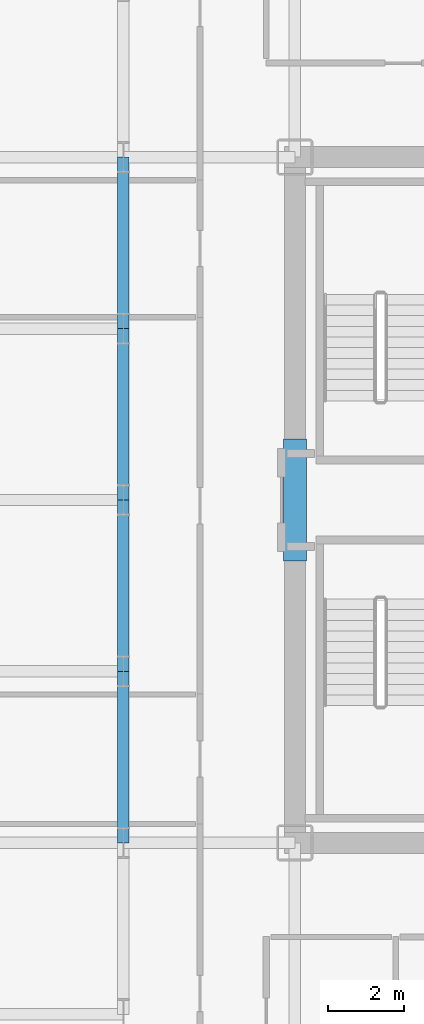
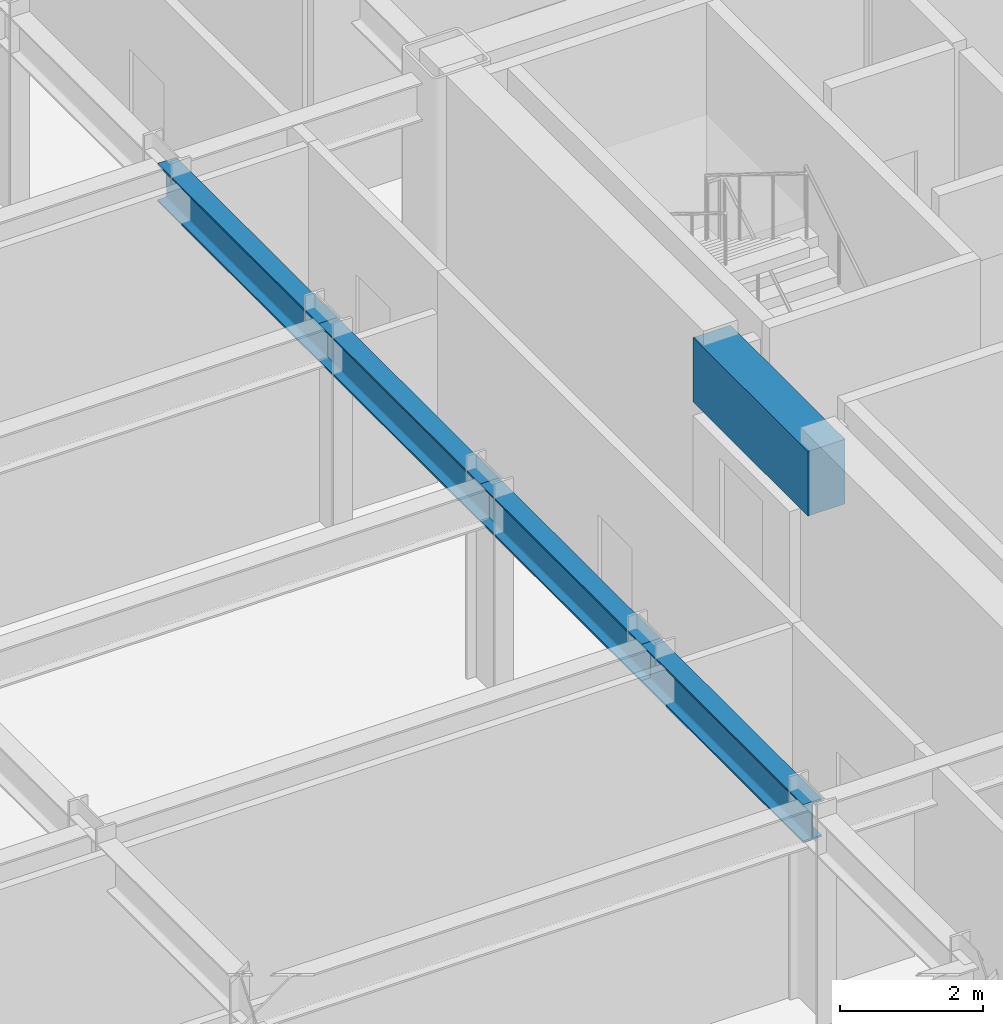
# One storey, part 8 of 26: 5 beams.
"""IFC4 building model written with IfcOpenShell, lengths in metres."""

from ifc_helpers import new_model, si_unit, direction, frame, origin, origin_2d, place, context, subcontext, project, spatial, rectangle, i_section, extrude, source, transform, mapped, material, material_profile, profile_set, type_object, element, save


model = new_model("IFC4")

# Units and contexts
model_context = context("Model", 3, precision=1e-05, world=origin(), true_north=direction((0.0, 1.0)))
body_context = subcontext(model_context, "Body", "Model", "MODEL_VIEW")
ifc_project = project(units=[si_unit("LENGTHUNIT", "METRE"), si_unit("AREAUNIT", "SQUARE_METRE"), si_unit("VOLUMEUNIT", "CUBIC_METRE"), si_unit("PLANEANGLEUNIT", "RADIAN"), si_unit("MASSUNIT", "GRAM", prefix="KILO")], contexts=[model_context])

# Site, building, storey
site_placement = place(None, origin())
site = spatial("IfcSite", under=ifc_project, at=site_placement, CompositionType="ELEMENT")
building_placement = place(site_placement, origin())
building = spatial("IfcBuilding", under=site, at=building_placement, Name="Nefas-Gora Pilgrimage Tower", CompositionType="ELEMENT")
storey_placement = place(building_placement, frame((0.0, 0.0, 160.199951171875)))
storey = spatial("IfcBuildingStorey", under=building, at=storey_placement, Name="L39", CompositionType="ELEMENT", Elevation=160.199951171875)

# Beams
ifc_material_1 = material(Name="Concrete C60/75", Category="concrete")
ifc_material_profile_1 = material_profile(ifc_material_1, rectangle(XDim=0.60009765625, YDim=1.10009765625, at=origin_2d()), Name="RC 600x1100")
ifc_profile_set_1 = profile_set([ifc_material_profile_1], Name="Concrete C60/75")
beam_type_1 = type_object("IfcBeamType", Name="BM-LIN-RC1100", PredefinedType="LINTEL", material=ifc_profile_set_1)
shared_shape_1 = source(origin(), body_context, "Body", "SweptSolid", [
    extrude(rectangle(XDim=0.60009765625, YDim=1.10009765625, at=origin_2d()), origin(), (0.0, 0.0, 1.0), 3.2001953125),
])
beam_placement = place(storey_placement, frame((-11.25, -1.60009765625, 3.0), z_axis=(0.0, 1.0, 0.0), x_axis=(-1.0, 0.0, 0.0)))
element("IfcBeam", 1, at=beam_placement, inside=storey, type_object=beam_type_1, Name="L39 Core Coupling Lintel Beam W", PredefinedType="LINTEL", context=body_context, shape_type="MappedRepresentation", body=[
    mapped(shared_shape_1, transform((0.0, 0.0, 0.0), x_axis=(1.0, 0.0, 0.0), y_axis=(0.0, 1.0, 0.0), z_axis=(0.0, 0.0, 1.0), scale=1.0)),
])
ifc_material_2 = material(Name="Steel S355", Category="steel")
ifc_material_profile_2 = material_profile(ifc_material_2, i_section(OverallWidth=0.300048828125, OverallDepth=0.64990234375, WebThickness=0.01611328125, FlangeThickness=0.031005859375, FilletRadius=0.027099609375, at=origin_2d()), Name="HEB 650")
ifc_profile_set_2 = profile_set([ifc_material_profile_2], Name="Steel S355")
beam_type_2 = type_object("IfcBeamType", Name="BM-GIR-HEB650", PredefinedType="BEAM", material=ifc_profile_set_2)
shared_shape_2 = source(origin(), body_context, "Body", "SweptSolid", [
    extrude(i_section(OverallWidth=0.300048828125, OverallDepth=0.64990234375, WebThickness=0.01611328125, FlangeThickness=0.031005859375, FilletRadius=0.027099609375, at=origin_2d()), origin(), (0.0, 0.0, 1.0), 4.5),
])
for number, where, z_axis, x_axis, name in (
    (2, (-15.75, -9.0, 3.22509765625), (0.0, 1.0, 0.0), (-1.0, 0.0, 0.0), "L39 G-03 beam"),
    (3, (-15.75, -4.5, 3.22509765625), (0.0, 1.0, 0.0), (-1.0, 0.0, 0.0), "L39 G-03 beam"),
    (4, (-15.75, 0.0, 3.22509765625), (0.0, 1.0, 0.0), (-1.0, 0.0, 0.0), "L39 G-03 beam"),
    (5, (-15.75, 4.5, 3.22509765625), (0.0, 1.0, 0.0), (-1.0, 0.0, 0.0), "L39 G-03 beam"),
):
    element("IfcBeam", number, at=place(storey_placement, frame(where, z_axis=z_axis, x_axis=x_axis)), inside=storey, type_object=beam_type_2, Name=name, PredefinedType="BEAM", context=body_context, shape_type="MappedRepresentation", body=[
        mapped(shared_shape_2, transform((0.0, 0.0, 0.0), x_axis=(1.0, 0.0, 0.0), y_axis=(0.0, 1.0, 0.0), z_axis=(0.0, 0.0, 1.0), scale=1.0)),
    ])

save(model, "model.ifc")
